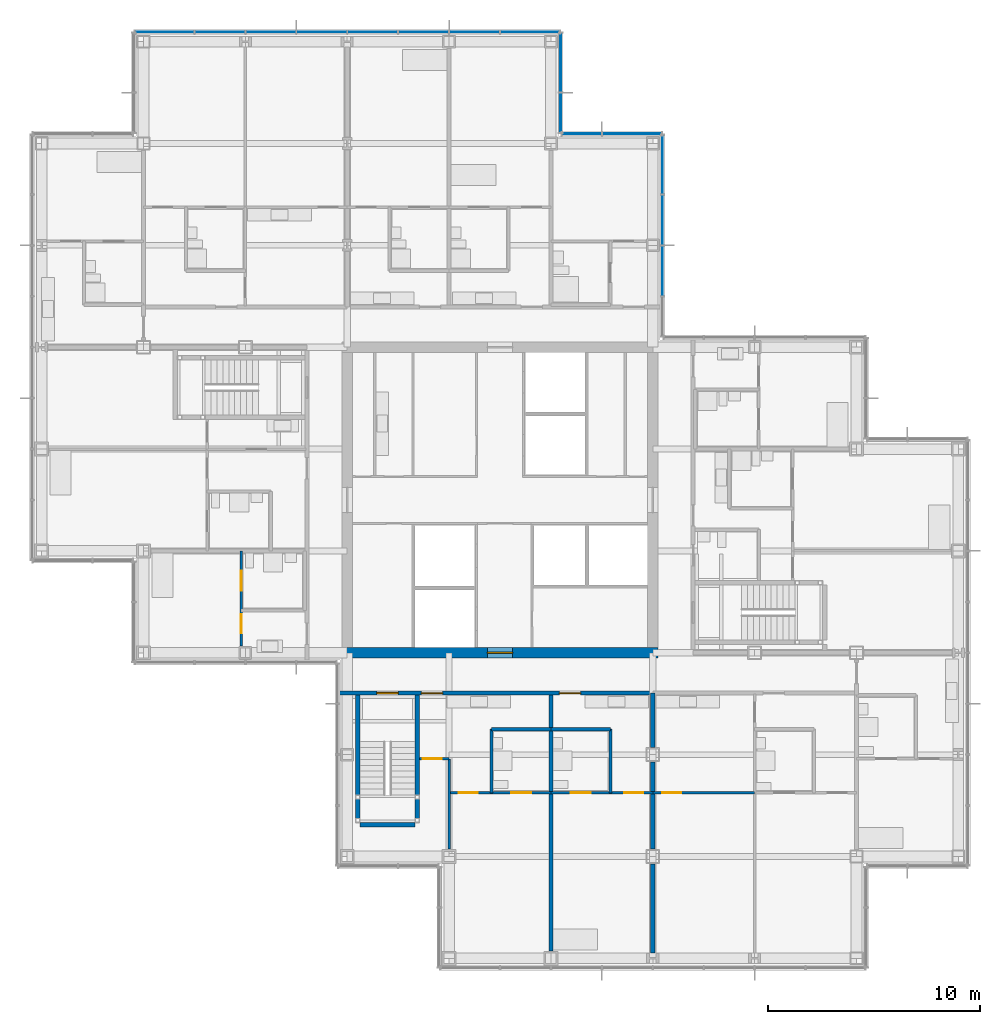
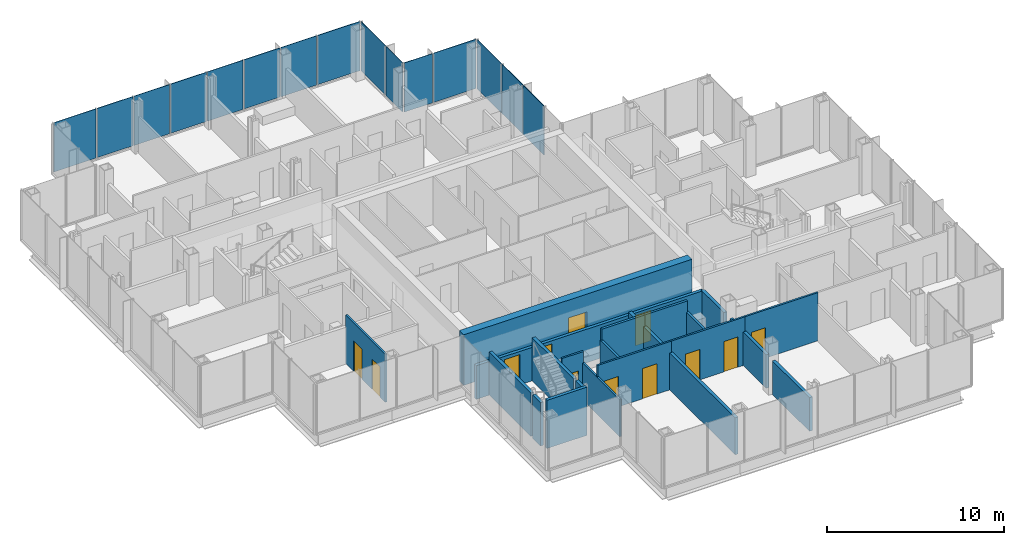
# One storey, part 13 of 20: 21 walls, 15 plates, 12 doors, 12 openings, 4 elements without a shape of their own.
"""IFC4 building model written with IfcOpenShell, lengths in metres."""

from ifc_helpers import new_model, si_unit, direction, frame, frame_2d, origin, origin_2d, place, context, subcontext, project, spatial, rectangle, extrude, material, layer, layer_set, type_object, element, fill, aggregate, save


model = new_model("IFC4")

# Units and contexts
model_context = context("Model", 3, precision=1e-05, world=origin(), true_north=direction((0.0, 1.0)))
body_context = subcontext(model_context, "Body", "Model", "MODEL_VIEW")
ifc_project = project(units=[si_unit("LENGTHUNIT", "METRE"), si_unit("AREAUNIT", "SQUARE_METRE"), si_unit("VOLUMEUNIT", "CUBIC_METRE"), si_unit("PLANEANGLEUNIT", "RADIAN"), si_unit("MASSUNIT", "GRAM", prefix="KILO")], contexts=[model_context])

# Site, building, storey
site_placement = place(None, origin())
site = spatial("IfcSite", under=ifc_project, at=site_placement, CompositionType="ELEMENT")
building_placement = place(site_placement, origin())
building = spatial("IfcBuilding", under=site, at=building_placement, Name="Kvirike Care Tower", CompositionType="ELEMENT")
storey_placement = place(building_placement, frame((0.0, 0.0, 94.5)))
storey = spatial("IfcBuildingStorey", under=building, at=storey_placement, Name="L25", CompositionType="ELEMENT", Elevation=94.5)

# Curtain wall, plates
ifc_material_1 = material(Name="Anodised aluminium stick system", Category="aluminium")
curtain_wall_type = type_object("IfcCurtainWallType", Name="CW-B STICK CURTAIN WALL", PredefinedType="NOTDEFINED", material=ifc_material_1)
curtain_wall_1_placement = place(storey_placement, origin())
curtain_wall_1 = element("IfcCurtainWall", 1, at=curtain_wall_1_placement, inside=storey, type_object=curtain_wall_type, Name="Curtain wall L25 face 5", PredefinedType="NOTDEFINED")
ifc_material_2 = material(Name="Tinted double glazed unit", Category="glass")
ifc_layer_1 = layer(ifc_material_2, 0.035888671875)
ifc_layer_set_1 = layer_set([ifc_layer_1], Name="TINTED VISION PANEL 36")
plate_type = type_object("IfcPlateType", Name="TINTED VISION PANEL 36", PredefinedType="CURTAIN_PANEL", material=ifc_layer_set_1)
plate_1_placement = place(storey_placement, frame((29.260009765625, 46.800048828125, 0.10009765625), z_axis=(0.0, 0.0, 1.0), x_axis=(0.0, 1.0, 0.0)))
plate_1 = element("IfcPlate", 2, at=plate_1_placement, type_object=plate_type, Name="CW-B panel L25 face 5.2", PredefinedType="CURTAIN_PANEL", context=body_context, shape_type="SweptSolid", body=[
    extrude(rectangle(XDim=2.3349609375, YDim=0.035888671875, at=origin_2d()), origin(), (0.0, 0.0, 1.0), 3.39990234375),
])
plate_2_placement = place(storey_placement, frame((29.260009765625, 49.199951171875, 0.10009765625), z_axis=(0.0, 0.0, 1.0), x_axis=(0.0, 1.0, 0.0)))
plate_2 = element("IfcPlate", 3, at=plate_2_placement, type_object=plate_type, Name="CW-B panel L25 face 5.3", PredefinedType="CURTAIN_PANEL", context=body_context, shape_type="SweptSolid", body=[
    extrude(rectangle(XDim=2.3349609375, YDim=0.035888671875, at=origin_2d()), origin(), (0.0, 0.0, 1.0), 3.39990234375),
])
plate_3_placement = place(storey_placement, frame((29.260009765625, 51.813720703125, 0.10009765625), z_axis=(0.0, 0.0, 1.0), x_axis=(0.0, 1.0, 0.0)))
plate_3 = element("IfcPlate", 4, at=plate_3_placement, type_object=plate_type, Name="CW-B panel L25 face 5.4", PredefinedType="CURTAIN_PANEL", context=body_context, shape_type="SweptSolid", body=[
    extrude(rectangle(XDim=2.762451171875, YDim=0.035888671875, at=origin_2d()), origin(), (0.0, 0.0, 1.0), 3.39990234375),
])
aggregate(curtain_wall_1, [plate_1, plate_2, plate_3])

curtain_wall_2_placement = place(storey_placement, origin())
curtain_wall_2 = element("IfcCurtainWall", 5, at=curtain_wall_2_placement, inside=storey, type_object=curtain_wall_type, Name="Curtain wall L25 face 6", PredefinedType="NOTDEFINED")
plate_4_placement = place(storey_placement, frame((27.813720703125, 53.260009765625, 0.10009765625), z_axis=(0.0, 0.0, 1.0), x_axis=(-1.0, 0.0, 0.0)))
plate_4 = element("IfcPlate", 6, at=plate_4_placement, type_object=plate_type, Name="CW-B panel L25 face 6.1", PredefinedType="CURTAIN_PANEL", context=body_context, shape_type="SweptSolid", body=[
    extrude(rectangle(XDim=2.762451171875, YDim=0.035888671875, at=origin_2d()), origin(), (0.0, 0.0, 1.0), 3.39990234375),
])
plate_5_placement = place(storey_placement, frame((25.4462890625, 53.260009765625, 0.10009765625), z_axis=(0.0, 0.0, 1.0), x_axis=(-1.0, 0.0, 0.0)))
plate_5 = element("IfcPlate", 7, at=plate_5_placement, type_object=plate_type, Name="CW-B panel L25 face 6.2", PredefinedType="CURTAIN_PANEL", context=body_context, shape_type="SweptSolid", body=[
    extrude(rectangle(XDim=1.842529296875, YDim=0.035888671875, at=origin_2d()), origin(), (0.0, 0.0, 1.0), 3.39990234375),
])
aggregate(curtain_wall_2, [plate_4, plate_5])

curtain_wall_3_placement = place(storey_placement, origin())
curtain_wall_3 = element("IfcCurtainWall", 8, at=curtain_wall_3_placement, inside=storey, type_object=curtain_wall_type, Name="Curtain wall L25 face 7", PredefinedType="NOTDEFINED")
plate_6_placement = place(storey_placement, frame((24.4599609375, 54.246337890625, 0.10009765625), z_axis=(0.0, 0.0, 1.0), x_axis=(0.0, 1.0, 0.0)))
plate_6 = element("IfcPlate", 9, at=plate_6_placement, type_object=plate_type, Name="CW-B panel L25 face 7.1", PredefinedType="CURTAIN_PANEL", context=body_context, shape_type="SweptSolid", body=[
    extrude(rectangle(XDim=1.842529296875, YDim=0.035888671875, at=origin_2d()), origin(), (0.0, 0.0, 1.0), 3.39990234375),
])
plate_7_placement = place(storey_placement, frame((24.4599609375, 56.61376953125, 0.10009765625), z_axis=(0.0, 0.0, 1.0), x_axis=(0.0, 1.0, 0.0)))
plate_7 = element("IfcPlate", 10, at=plate_7_placement, type_object=plate_type, Name="CW-B panel L25 face 7.2", PredefinedType="CURTAIN_PANEL", context=body_context, shape_type="SweptSolid", body=[
    extrude(rectangle(XDim=2.762451171875, YDim=0.035888671875, at=origin_2d()), origin(), (0.0, 0.0, 1.0), 3.39990234375),
])
aggregate(curtain_wall_3, [plate_6, plate_7])

curtain_wall_4_placement = place(storey_placement, origin())
curtain_wall_4 = element("IfcCurtainWall", 11, at=curtain_wall_4_placement, inside=storey, type_object=curtain_wall_type, Name="Curtain wall L25 face 8", PredefinedType="NOTDEFINED")
plate_8_placement = place(storey_placement, frame((23.013671875, 58.06005859375, 0.10009765625), z_axis=(0.0, 0.0, 1.0), x_axis=(-1.0, 0.0, 0.0)))
plate_8 = element("IfcPlate", 12, at=plate_8_placement, type_object=plate_type, Name="CW-B panel L25 face 8.1", PredefinedType="CURTAIN_PANEL", context=body_context, shape_type="SweptSolid", body=[
    extrude(rectangle(XDim=2.762451171875, YDim=0.035888671875, at=origin_2d()), origin(), (0.0, 0.0, 1.0), 3.39990234375),
])
plate_9_placement = place(storey_placement, frame((20.39990234375, 58.06005859375, 0.10009765625), z_axis=(0.0, 0.0, 1.0), x_axis=(-1.0, 0.0, 0.0)))
plate_9 = element("IfcPlate", 13, at=plate_9_placement, type_object=plate_type, Name="CW-B panel L25 face 8.2", PredefinedType="CURTAIN_PANEL", context=body_context, shape_type="SweptSolid", body=[
    extrude(rectangle(XDim=2.3349609375, YDim=0.035888671875, at=origin_2d()), origin(), (0.0, 0.0, 1.0), 3.39990234375),
])
plate_10_placement = place(storey_placement, frame((18.0, 58.06005859375, 0.10009765625), z_axis=(0.0, 0.0, 1.0), x_axis=(-1.0, 0.0, 0.0)))
plate_10 = element("IfcPlate", 14, at=plate_10_placement, type_object=plate_type, Name="CW-B panel L25 face 8.3", PredefinedType="CURTAIN_PANEL", context=body_context, shape_type="SweptSolid", body=[
    extrude(rectangle(XDim=2.3349609375, YDim=0.035888671875, at=origin_2d()), origin(), (0.0, 0.0, 1.0), 3.39990234375),
])
plate_11_placement = place(storey_placement, frame((15.60009765625, 58.06005859375, 0.10009765625), z_axis=(0.0, 0.0, 1.0), x_axis=(-1.0, 0.0, 0.0)))
plate_11 = element("IfcPlate", 15, at=plate_11_placement, type_object=plate_type, Name="CW-B panel L25 face 8.4", PredefinedType="CURTAIN_PANEL", context=body_context, shape_type="SweptSolid", body=[
    extrude(rectangle(XDim=2.3349609375, YDim=0.035888671875, at=origin_2d()), origin(), (0.0, 0.0, 1.0), 3.39990234375),
])
plate_12_placement = place(storey_placement, frame((13.199951171875, 58.06005859375, 0.10009765625), z_axis=(0.0, 0.0, 1.0), x_axis=(-1.0, 0.0, 0.0)))
plate_12 = element("IfcPlate", 16, at=plate_12_placement, type_object=plate_type, Name="CW-B panel L25 face 8.5", PredefinedType="CURTAIN_PANEL", context=body_context, shape_type="SweptSolid", body=[
    extrude(rectangle(XDim=2.3349609375, YDim=0.035888671875, at=origin_2d()), origin(), (0.0, 0.0, 1.0), 3.39990234375),
])
plate_13_placement = place(storey_placement, frame((10.800048828125, 58.06005859375, 0.10009765625), z_axis=(0.0, 0.0, 1.0), x_axis=(-1.0, 0.0, 0.0)))
plate_13 = element("IfcPlate", 17, at=plate_13_placement, type_object=plate_type, Name="CW-B panel L25 face 8.6", PredefinedType="CURTAIN_PANEL", context=body_context, shape_type="SweptSolid", body=[
    extrude(rectangle(XDim=2.3349609375, YDim=0.035888671875, at=origin_2d()), origin(), (0.0, 0.0, 1.0), 3.39990234375),
])
plate_14_placement = place(storey_placement, frame((8.39990234375, 58.06005859375, 0.10009765625), z_axis=(0.0, 0.0, 1.0), x_axis=(-1.0, 0.0, 0.0)))
plate_14 = element("IfcPlate", 18, at=plate_14_placement, type_object=plate_type, Name="CW-B panel L25 face 8.7", PredefinedType="CURTAIN_PANEL", context=body_context, shape_type="SweptSolid", body=[
    extrude(rectangle(XDim=2.3349609375, YDim=0.035888671875, at=origin_2d()), origin(), (0.0, 0.0, 1.0), 3.39990234375),
])
plate_15_placement = place(storey_placement, frame((5.7861328125, 58.06005859375, 0.10009765625), z_axis=(0.0, 0.0, 1.0), x_axis=(-1.0, 0.0, 0.0)))
plate_15 = element("IfcPlate", 19, at=plate_15_placement, type_object=plate_type, Name="CW-B panel L25 face 8.8", PredefinedType="CURTAIN_PANEL", context=body_context, shape_type="SweptSolid", body=[
    extrude(rectangle(XDim=2.762451171875, YDim=0.035888671875, at=origin_2d()), origin(), (0.0, 0.0, 1.0), 3.39990234375),
])
aggregate(curtain_wall_4, [plate_8, plate_9, plate_10, plate_11, plate_12, plate_13, plate_14, plate_15])

# Walls
ifc_material_3 = material(Name="Moisture-resistant board partition", Category="gypsum")
ifc_layer_2 = layer(ifc_material_3, 0.14990234375)
ifc_layer_set_2 = layer_set([ifc_layer_2], Name="BATHROOM WALL 150")
wall_type_1 = type_object("IfcWallType", Name="BATHROOM WALL 150", PredefinedType="PARTITIONING", material=ifc_layer_set_2)
wall_1_placement = place(storey_placement, frame((21.199951171875, 22.199951171875, 0.0), z_axis=(0.0, 0.0, 1.0), x_axis=(0.0, 1.0, 0.0)))
element("IfcWall", 20, at=wall_1_placement, inside=storey, type_object=wall_type_1, Name="Bathroom Wall 150 L25", PredefinedType="PARTITIONING", context=body_context, shape_type="SweptSolid", body=[
    extrude(rectangle(XDim=3.0, YDim=0.14990234375, at=frame_2d((1.5, 0.0))), origin(), (0.0, 0.0, 1.0), 2.550048828125),
])
wall_2_placement = place(storey_placement, frame((21.199951171875, 25.199951171875, 0.0), z_axis=(0.0, 0.0, 1.0), x_axis=(1.0, 0.0, 0.0)))
element("IfcWall", 21, at=wall_2_placement, inside=storey, type_object=wall_type_1, Name="Bathroom Wall 150 L25", PredefinedType="PARTITIONING", context=body_context, shape_type="SweptSolid", body=[
    extrude(rectangle(XDim=2.800048828125, YDim=0.14990234375, at=frame_2d((1.39990234375, 0.0))), origin(), (0.0, 0.0, 1.0), 3.330078125),
])
wall_3_placement = place(storey_placement, frame((26.800048828125, 22.199951171875, 0.0), z_axis=(0.0, 0.0, 1.0), x_axis=(0.0, 1.0, 0.0)))
element("IfcWall", 22, at=wall_3_placement, inside=storey, type_object=wall_type_1, Name="Bathroom Wall 150 L25", PredefinedType="PARTITIONING", context=body_context, shape_type="SweptSolid", body=[
    extrude(rectangle(XDim=3.0, YDim=0.14990234375, at=frame_2d((1.5, 0.0))), origin(), (0.0, 0.0, 1.0), 2.550048828125),
])
wall_4_placement = place(storey_placement, frame((24.0, 25.199951171875, 0.0), z_axis=(0.0, 0.0, 1.0), x_axis=(1.0, 0.0, 0.0)))
element("IfcWall", 23, at=wall_4_placement, inside=storey, type_object=wall_type_1, Name="Bathroom Wall 150 L25", PredefinedType="PARTITIONING", context=body_context, shape_type="SweptSolid", body=[
    extrude(rectangle(XDim=2.800048828125, YDim=0.14990234375, at=frame_2d((1.39990234375, 0.0))), origin(), (0.0, 0.0, 1.0), 3.330078125),
])

# Wall, opening, door
ifc_material_4 = material(Name="Concrete C50/60", Category="concrete")
ifc_layer_3 = layer(ifc_material_4, 0.5)
ifc_layer_set_3 = layer_set([ifc_layer_3], Name="CORE WALL 500 C50-60")
wall_type_2 = type_object("IfcWallType", Name="CORE WALL 500 C50-60", PredefinedType="SHEAR", material=ifc_layer_set_3)
wall_5_placement = place(storey_placement, frame((14.14990234375, 28.800048828125, -0.169921875), z_axis=(0.0, 0.0, 1.0), x_axis=(1.0, 0.0, 0.0)))
wall_5 = element("IfcWall", 24, at=wall_5_placement, inside=storey, type_object=wall_type_2, Name="Core wall S L25", PredefinedType="SHEAR", context=body_context, shape_type="SweptSolid", body=[
    extrude(rectangle(XDim=14.900146484375, YDim=0.5, at=frame_2d((7.4501953125, 0.0))), origin(), (0.0, 0.0, 1.0), 3.5),
])
opening_1_placement = place(wall_5_placement, frame((6.85009765625, 0.0, 0.169921875)))
opening_1 = element("IfcOpeningElement", 25, at=opening_1_placement, cuts=wall_5, Name="Opening 25-064", PredefinedType="OPENING", context=body_context, shape_type="SweptSolid", body=[
    extrude(rectangle(XDim=1.199951171875, YDim=2.10009765625, at=frame_2d((0.60009765625, 1.050048828125))), frame((0.0, 0.260498046875, 0.0), z_axis=(0.0, -1.0, 0.0), x_axis=(1.0, 0.0, 0.0)), (0.0, 0.0, 1.0), 0.52099609375),
])
ifc_material_5 = material(Name="Timber door set", Category="wood")
door_type_1 = type_object("IfcDoorType", Name="CORE DOOR 1200", OperationType="SINGLE_SWING_LEFT", PredefinedType="DOOR", material=ifc_material_5)
door_1_placement = place(opening_1_placement, origin())
door_1 = element("IfcDoor", 26, at=door_1_placement, inside=storey, type_object=door_type_1, Name="Core door S L25", OperationType="SINGLE_SWING_LEFT", OverallHeight=2.10009765625, OverallWidth=1.199951171875, PredefinedType="DOOR", context=body_context, shape_type="SweptSolid", body=[
    extrude(rectangle(XDim=1.199951171875, YDim=2.10009765625, at=frame_2d((0.60009765625, 1.050048828125))), frame((0.0, 0.02685546875, 0.0), z_axis=(0.0, -1.0, 0.0), x_axis=(1.0, 0.0, 0.0)), (0.0, 0.0, 1.0), 0.053955078125),
])
fill(opening_1, door_1)

# Wall, openings, doors
ifc_material_6 = material(Name="Plasterboard corridor wall", Category="gypsum")
ifc_layer_4 = layer(ifc_material_6, 0.199951171875)
ifc_layer_set_4 = layer_set([ifc_layer_4], Name="CORRIDOR WALL 200")
wall_type_3 = type_object("IfcWallType", Name="CORRIDOR WALL 200", PredefinedType="PARTITIONING", material=ifc_layer_set_4)
wall_6_placement = place(storey_placement, frame((13.9599609375, 26.89990234375, 0.0), z_axis=(0.0, 0.0, 1.0), x_axis=(1.0, 0.0, 0.0)))
wall_6 = element("IfcWall", 27, at=wall_6_placement, inside=storey, type_object=wall_type_3, Name="Corridor Wall 200 L25", PredefinedType="PARTITIONING", context=body_context, shape_type="SweptSolid", body=[
    extrude(rectangle(XDim=14.840087890625, YDim=0.199951171875, at=frame_2d((7.419921875, 0.0))), origin(), (0.0, 0.0, 1.0), 2.320068359375),
])
opening_2_placement = place(wall_6_placement, frame((1.840087890625, 0.0, 0.0)))
opening_2 = element("IfcOpeningElement", 28, at=opening_2_placement, cuts=wall_6, Name="Opening 25-023", PredefinedType="OPENING", context=body_context, shape_type="SweptSolid", body=[
    extrude(rectangle(XDim=1.0, YDim=2.10009765625, at=frame_2d((0.5, 1.050048828125))), frame((0.0, 0.110595703125, 0.0), z_axis=(0.0, -1.0, 0.0), x_axis=(1.0, 0.0, 0.0)), (0.0, 0.0, 1.0), 0.220947265625),
])
opening_3_placement = place(wall_6_placement, frame((3.93994140625, 0.0, 0.0)))
opening_3 = element("IfcOpeningElement", 29, at=opening_3_placement, cuts=wall_6, Name="Opening 25-024", PredefinedType="OPENING", context=body_context, shape_type="SweptSolid", body=[
    extrude(rectangle(XDim=1.0, YDim=2.10009765625, at=frame_2d((0.5, 1.050048828125))), frame((0.0, 0.110595703125, 0.0), z_axis=(0.0, -1.0, 0.0), x_axis=(1.0, 0.0, 0.0)), (0.0, 0.0, 1.0), 0.220947265625),
])
opening_4_placement = place(wall_6_placement, frame((10.43994140625, 0.0, 0.0)))
opening_4 = element("IfcOpeningElement", 30, at=opening_4_placement, cuts=wall_6, Name="Opening 25-025", PredefinedType="OPENING", context=body_context, shape_type="SweptSolid", body=[
    extrude(rectangle(XDim=1.0, YDim=2.10009765625, at=frame_2d((0.5, 1.050048828125))), frame((0.0, 0.110595703125, 0.0), z_axis=(0.0, -1.0, 0.0), x_axis=(1.0, 0.0, 0.0)), (0.0, 0.0, 1.0), 0.220947265625),
])
ifc_material_7 = material(Name="Timber door set", Category="wood")
door_type_2 = type_object("IfcDoorType", Name="FLAT ENTRANCE DOOR 1000", OperationType="SINGLE_SWING_LEFT", PredefinedType="DOOR", material=ifc_material_7)
door_2_placement = place(opening_3_placement, frame((1.0, 0.0, 0.0), z_axis=(0.0, 0.0, 1.0), x_axis=(-1.0, 0.0, 0.0)))
door_2 = element("IfcDoor", 31, at=door_2_placement, inside=storey, type_object=door_type_2, Name="Accessible assisted living suite entrance", OperationType="SINGLE_SWING_LEFT", OverallHeight=2.10009765625, OverallWidth=1.0, PredefinedType="DOOR", context=body_context, shape_type="SweptSolid", body=[
    extrude(rectangle(XDim=1.0, YDim=2.10009765625, at=frame_2d((0.5, 1.050048828125))), frame((0.0, 0.02685546875, 0.0), z_axis=(0.0, -1.0, 0.0), x_axis=(1.0, 0.0, 0.0)), (0.0, 0.0, 1.0), 0.053955078125),
])
fill(opening_3, door_2)
door_3_placement = place(opening_4_placement, frame((1.0, 0.0, 0.0), z_axis=(0.0, 0.0, 1.0), x_axis=(-1.0, 0.0, 0.0)))
door_3 = element("IfcDoor", 32, at=door_3_placement, inside=storey, type_object=door_type_2, Name="Assisted living suite entrance", OperationType="SINGLE_SWING_LEFT", OverallHeight=2.10009765625, OverallWidth=1.0, PredefinedType="DOOR", context=body_context, shape_type="SweptSolid", body=[
    extrude(rectangle(XDim=1.0, YDim=2.10009765625, at=frame_2d((0.5, 1.050048828125))), frame((0.0, 0.02685546875, 0.0), z_axis=(0.0, -1.0, 0.0), x_axis=(1.0, 0.0, 0.0)), (0.0, 0.0, 1.0), 0.053955078125),
])
fill(opening_4, door_3)
ifc_material_8 = material(Name="Timber door set", Category="wood")
door_type_3 = type_object("IfcDoorType", Name="STAIR DOOR 1000", OperationType="SINGLE_SWING_LEFT", PredefinedType="DOOR", material=ifc_material_8)
door_4_placement = place(opening_2_placement, frame((1.0, 0.0, 0.0), z_axis=(0.0, 0.0, 1.0), x_axis=(-1.0, 0.0, 0.0)))
door_4 = element("IfcDoor", 33, at=door_4_placement, inside=storey, type_object=door_type_3, Name="Stair 5 door", OperationType="SINGLE_SWING_RIGHT", OverallHeight=2.10009765625, OverallWidth=1.0, PredefinedType="DOOR", context=body_context, shape_type="SweptSolid", body=[
    extrude(rectangle(XDim=1.0, YDim=2.10009765625, at=frame_2d((0.5, 1.050048828125))), frame((0.0, 0.031982421875, 0.0), z_axis=(0.0, -1.0, 0.0), x_axis=(1.0, 0.0, 0.0)), (0.0, 0.0, 1.0), 0.06396484375),
])
fill(opening_2, door_4)

ifc_material_9 = material(Name="Plasterboard partition", Category="gypsum")
ifc_layer_5 = layer(ifc_material_9, 0.1201171875)
ifc_layer_set_5 = layer_set([ifc_layer_5], Name="PARTITION 120")
wall_type_4 = type_object("IfcWallType", Name="PARTITION 120", PredefinedType="PARTITIONING", material=ifc_layer_set_5)
wall_7_placement = place(storey_placement, frame((9.39990234375, 33.60009765625, 0.0), z_axis=(0.0, 0.0, 1.0), x_axis=(0.0, -1.0, 0.0)))
wall_7 = element("IfcWall", 34, at=wall_7_placement, inside=storey, type_object=wall_type_4, Name="Partition 120 L25", PredefinedType="PARTITIONING", context=body_context, shape_type="SweptSolid", body=[
    extrude(rectangle(XDim=4.47998046875, YDim=0.1201171875, at=frame_2d((2.239990234375, 0.0))), origin(), (0.0, 0.0, 1.0), 3.330078125),
])
opening_5_placement = place(wall_7_placement, frame((2.97509765625, 0.0, 0.0)))
opening_5 = element("IfcOpeningElement", 35, at=opening_5_placement, cuts=wall_7, Name="Opening 25-005", PredefinedType="OPENING", context=body_context, shape_type="SweptSolid", body=[
    extrude(rectangle(XDim=0.89990234375, YDim=2.10009765625, at=frame_2d((0.449951171875, 1.050048828125))), frame((0.0, 0.070556640625, 0.0), z_axis=(0.0, -1.0, 0.0), x_axis=(1.0, 0.0, 0.0)), (0.0, 0.0, 1.0), 0.14111328125),
])
opening_6_placement = place(wall_7_placement, frame((0.925048828125, 0.0, 0.0)))
opening_6 = element("IfcOpeningElement", 36, at=opening_6_placement, cuts=wall_7, Name="Opening 25-006", PredefinedType="OPENING", context=body_context, shape_type="SweptSolid", body=[
    extrude(rectangle(XDim=0.949951171875, YDim=2.10009765625, at=frame_2d((0.47509765625, 1.050048828125))), frame((0.0, 0.070556640625, 0.0), z_axis=(0.0, -1.0, 0.0), x_axis=(1.0, 0.0, 0.0)), (0.0, 0.0, 1.0), 0.14111328125),
])
ifc_material_10 = material(Name="Timber door set", Category="wood")
door_type_4 = type_object("IfcDoorType", Name="EN-SUITE SLIDING DOOR 950", OperationType="SLIDING_TO_LEFT", PredefinedType="DOOR", material=ifc_material_10)
door_5_placement = place(opening_6_placement, origin())
door_5 = element("IfcDoor", 37, at=door_5_placement, inside=storey, type_object=door_type_4, Name="En-suite door", OperationType="SLIDING_TO_LEFT", OverallHeight=2.10009765625, OverallWidth=0.949951171875, PredefinedType="DOOR", context=body_context, shape_type="SweptSolid", body=[
    extrude(rectangle(XDim=0.949951171875, YDim=2.10009765625, at=frame_2d((0.47509765625, 1.050048828125))), frame((0.0, 0.02197265625, 0.0), z_axis=(0.0, -1.0, 0.0), x_axis=(1.0, 0.0, 0.0)), (0.0, 0.0, 1.0), 0.0439453125),
])
fill(opening_6, door_5)
ifc_material_11 = material(Name="Timber door set", Category="wood")
door_type_5 = type_object("IfcDoorType", Name="INTERNAL DOOR 900", OperationType="SINGLE_SWING_LEFT", PredefinedType="DOOR", material=ifc_material_11)
door_6_placement = place(opening_5_placement, origin())
door_6 = element("IfcDoor", 38, at=door_6_placement, inside=storey, type_object=door_type_5, Name="Assisted living suite door", OperationType="SINGLE_SWING_RIGHT", OverallHeight=2.10009765625, OverallWidth=0.89990234375, PredefinedType="DOOR", context=body_context, shape_type="SweptSolid", body=[
    extrude(rectangle(XDim=0.89990234375, YDim=2.10009765625, at=frame_2d((0.449951171875, 1.050048828125))), frame((0.0, 0.02197265625, 0.0), z_axis=(0.0, -1.0, 0.0), x_axis=(1.0, 0.0, 0.0)), (0.0, 0.0, 1.0), 0.0439453125),
])
fill(opening_5, door_6)

# Wall, opening, door
wall_8_placement = place(storey_placement, frame((17.800048828125, 23.800048828125, 0.0), z_axis=(0.0, 0.0, 1.0), x_axis=(1.0, 0.0, 0.0)))
wall_8 = element("IfcWall", 39, at=wall_8_placement, inside=storey, type_object=wall_type_4, Name="Partition 120 L25", PredefinedType="PARTITIONING", context=body_context, shape_type="SweptSolid", body=[
    extrude(rectangle(XDim=1.39990234375, YDim=0.1201171875, at=frame_2d((0.699951171875, 0.0))), origin(), (0.0, 0.0, 1.0), 3.330078125),
])
opening_7_placement = place(wall_8_placement, frame((0.14990234375, 0.0, 0.0)))
opening_7 = element("IfcOpeningElement", 40, at=opening_7_placement, cuts=wall_8, Name="Opening 25-018", PredefinedType="OPENING", context=body_context, shape_type="SweptSolid", body=[
    extrude(rectangle(XDim=0.89990234375, YDim=2.10009765625, at=frame_2d((0.449951171875, 1.050048828125))), frame((0.0, 0.070556640625, 0.0), z_axis=(0.0, -1.0, 0.0), x_axis=(1.0, 0.0, 0.0)), (0.0, 0.0, 1.0), 0.14111328125),
])
door_7_placement = place(opening_7_placement, frame((0.89990234375, 0.0, 0.0), z_axis=(0.0, 0.0, 1.0), x_axis=(-1.0, 0.0, 0.0)))
door_7 = element("IfcDoor", 41, at=door_7_placement, inside=storey, type_object=door_type_5, Name="Suite sitting room door", OperationType="SINGLE_SWING_LEFT", OverallHeight=2.10009765625, OverallWidth=0.89990234375, PredefinedType="DOOR", context=body_context, shape_type="SweptSolid", body=[
    extrude(rectangle(XDim=0.89990234375, YDim=2.10009765625, at=frame_2d((0.449951171875, 1.050048828125))), frame((0.0, 0.02197265625, 0.0), z_axis=(0.0, -1.0, 0.0), x_axis=(1.0, 0.0, 0.0)), (0.0, 0.0, 1.0), 0.0439453125),
])
fill(opening_7, door_7)

# Wall, openings, doors
wall_9_placement = place(storey_placement, frame((19.199951171875, 22.199951171875, 0.0), z_axis=(0.0, 0.0, 1.0), x_axis=(1.0, 0.0, 0.0)))
wall_9 = element("IfcWall", 42, at=wall_9_placement, inside=storey, type_object=wall_type_4, Name="Partition 120 L25", PredefinedType="PARTITIONING", context=body_context, shape_type="SweptSolid", body=[
    extrude(rectangle(XDim=4.800048828125, YDim=0.1201171875, at=frame_2d((2.39990234375, 0.0))), origin(), (0.0, 0.0, 1.0), 3.330078125),
])
opening_8_placement = place(wall_9_placement, frame((0.449951171875, 0.0, 0.0)))
opening_8 = element("IfcOpeningElement", 43, at=opening_8_placement, cuts=wall_9, Name="Opening 25-019", PredefinedType="OPENING", context=body_context, shape_type="SweptSolid", body=[
    extrude(rectangle(XDim=0.89990234375, YDim=2.10009765625, at=frame_2d((0.449951171875, 1.050048828125))), frame((0.0, 0.070556640625, 0.0), z_axis=(0.0, -1.0, 0.0), x_axis=(1.0, 0.0, 0.0)), (0.0, 0.0, 1.0), 0.14111328125),
])
opening_9_placement = place(wall_9_placement, frame((2.925048828125, 0.0, 0.0)))
opening_9 = element("IfcOpeningElement", 44, at=opening_9_placement, cuts=wall_9, Name="Opening 25-020", PredefinedType="OPENING", context=body_context, shape_type="SweptSolid", body=[
    extrude(rectangle(XDim=0.949951171875, YDim=2.10009765625, at=frame_2d((0.47509765625, 1.050048828125))), frame((0.0, 0.070556640625, 0.0), z_axis=(0.0, -1.0, 0.0), x_axis=(1.0, 0.0, 0.0)), (0.0, 0.0, 1.0), 0.14111328125),
])
door_8_placement = place(opening_9_placement, origin())
door_8 = element("IfcDoor", 45, at=door_8_placement, inside=storey, type_object=door_type_4, Name="En-suite door", OperationType="SLIDING_TO_LEFT", OverallHeight=2.10009765625, OverallWidth=0.949951171875, PredefinedType="DOOR", context=body_context, shape_type="SweptSolid", body=[
    extrude(rectangle(XDim=0.949951171875, YDim=2.10009765625, at=frame_2d((0.47509765625, 1.050048828125))), frame((0.0, 0.02197265625, 0.0), z_axis=(0.0, -1.0, 0.0), x_axis=(1.0, 0.0, 0.0)), (0.0, 0.0, 1.0), 0.0439453125),
])
fill(opening_9, door_8)
door_9_placement = place(opening_8_placement, origin())
door_9 = element("IfcDoor", 46, at=door_9_placement, inside=storey, type_object=door_type_5, Name="Accessible assisted living suite door", OperationType="SINGLE_SWING_RIGHT", OverallHeight=2.10009765625, OverallWidth=0.89990234375, PredefinedType="DOOR", context=body_context, shape_type="SweptSolid", body=[
    extrude(rectangle(XDim=0.89990234375, YDim=2.10009765625, at=frame_2d((0.449951171875, 1.050048828125))), frame((0.0, 0.02197265625, 0.0), z_axis=(0.0, -1.0, 0.0), x_axis=(1.0, 0.0, 0.0)), (0.0, 0.0, 1.0), 0.0439453125),
])
fill(opening_8, door_9)

# Wall
wall_10_placement = place(storey_placement, frame((19.199951171875, 19.544921875, 0.0), z_axis=(0.0, 0.0, 1.0), x_axis=(0.0, 1.0, 0.0)))
element("IfcWall", 47, at=wall_10_placement, inside=storey, type_object=wall_type_4, Name="Partition 120 L25", PredefinedType="PARTITIONING", context=body_context, shape_type="SweptSolid", body=[
    extrude(rectangle(XDim=4.255126953125, YDim=0.1201171875, at=frame_2d((2.12744140625, 0.0))), origin(), (0.0, 0.0, 1.0), 2.550048828125),
])

# Wall, openings, doors
wall_11_placement = place(storey_placement, frame((24.0, 22.199951171875, 0.0), z_axis=(0.0, 0.0, 1.0), x_axis=(1.0, 0.0, 0.0)))
wall_11 = element("IfcWall", 48, at=wall_11_placement, inside=storey, type_object=wall_type_4, Name="Partition 120 L25", PredefinedType="PARTITIONING", context=body_context, shape_type="SweptSolid", body=[
    extrude(rectangle(XDim=4.800048828125, YDim=0.1201171875, at=frame_2d((2.39990234375, 0.0))), origin(), (0.0, 0.0, 1.0), 3.330078125),
])
opening_10_placement = place(wall_11_placement, frame((3.449951171875, 0.0, 0.0)))
opening_10 = element("IfcOpeningElement", 49, at=opening_10_placement, cuts=wall_11, Name="Opening 25-021", PredefinedType="OPENING", context=body_context, shape_type="SweptSolid", body=[
    extrude(rectangle(XDim=0.89990234375, YDim=2.10009765625, at=frame_2d((0.449951171875, 1.050048828125))), frame((0.0, 0.070556640625, 0.0), z_axis=(0.0, -1.0, 0.0), x_axis=(1.0, 0.0, 0.0)), (0.0, 0.0, 1.0), 0.14111328125),
])
opening_11_placement = place(wall_11_placement, frame((0.925048828125, 0.0, 0.0)))
opening_11 = element("IfcOpeningElement", 50, at=opening_11_placement, cuts=wall_11, Name="Opening 25-022", PredefinedType="OPENING", context=body_context, shape_type="SweptSolid", body=[
    extrude(rectangle(XDim=0.949951171875, YDim=2.10009765625, at=frame_2d((0.47509765625, 1.050048828125))), frame((0.0, 0.070556640625, 0.0), z_axis=(0.0, -1.0, 0.0), x_axis=(1.0, 0.0, 0.0)), (0.0, 0.0, 1.0), 0.14111328125),
])
door_10_placement = place(opening_11_placement, origin())
door_10 = element("IfcDoor", 51, at=door_10_placement, inside=storey, type_object=door_type_4, Name="En-suite door", OperationType="SLIDING_TO_RIGHT", OverallHeight=2.10009765625, OverallWidth=0.949951171875, PredefinedType="DOOR", context=body_context, shape_type="SweptSolid", body=[
    extrude(rectangle(XDim=0.949951171875, YDim=2.10009765625, at=frame_2d((0.47509765625, 1.050048828125))), frame((0.0, 0.02197265625, 0.0), z_axis=(0.0, -1.0, 0.0), x_axis=(1.0, 0.0, 0.0)), (0.0, 0.0, 1.0), 0.0439453125),
])
fill(opening_11, door_10)
door_11_placement = place(opening_10_placement, origin())
door_11 = element("IfcDoor", 52, at=door_11_placement, inside=storey, type_object=door_type_5, Name="Assisted living suite door", OperationType="SINGLE_SWING_LEFT", OverallHeight=2.10009765625, OverallWidth=0.89990234375, PredefinedType="DOOR", context=body_context, shape_type="SweptSolid", body=[
    extrude(rectangle(XDim=0.89990234375, YDim=2.10009765625, at=frame_2d((0.449951171875, 1.050048828125))), frame((0.0, 0.02197265625, 0.0), z_axis=(0.0, -1.0, 0.0), x_axis=(1.0, 0.0, 0.0)), (0.0, 0.0, 1.0), 0.0439453125),
])
fill(opening_10, door_11)

# Wall, opening, door
wall_12_placement = place(storey_placement, frame((28.800048828125, 22.199951171875, 0.0), z_axis=(0.0, 0.0, 1.0), x_axis=(1.0, 0.0, 0.0)))
wall_12 = element("IfcWall", 53, at=wall_12_placement, inside=storey, type_object=wall_type_4, Name="Partition 120 L25", PredefinedType="PARTITIONING", context=body_context, shape_type="SweptSolid", body=[
    extrude(rectangle(XDim=4.800048828125, YDim=0.1201171875, at=frame_2d((2.39990234375, 0.0))), origin(), (0.0, 0.0, 1.0), 3.330078125),
])
opening_12_placement = place(wall_12_placement, frame((0.449951171875, 0.0, 0.0)))
opening_12 = element("IfcOpeningElement", 54, at=opening_12_placement, cuts=wall_12, Name="Opening 25-036", PredefinedType="OPENING", context=body_context, shape_type="SweptSolid", body=[
    extrude(rectangle(XDim=0.89990234375, YDim=2.10009765625, at=frame_2d((0.449951171875, 1.050048828125))), frame((0.0, 0.070556640625, 0.0), z_axis=(0.0, -1.0, 0.0), x_axis=(1.0, 0.0, 0.0)), (0.0, 0.0, 1.0), 0.14111328125),
])
door_12_placement = place(opening_12_placement, origin())
door_12 = element("IfcDoor", 55, at=door_12_placement, inside=storey, type_object=door_type_5, Name="Suite sitting room door", OperationType="SINGLE_SWING_RIGHT", OverallHeight=2.10009765625, OverallWidth=0.89990234375, PredefinedType="DOOR", context=body_context, shape_type="SweptSolid", body=[
    extrude(rectangle(XDim=0.89990234375, YDim=2.10009765625, at=frame_2d((0.449951171875, 1.050048828125))), frame((0.0, 0.02197265625, 0.0), z_axis=(0.0, -1.0, 0.0), x_axis=(1.0, 0.0, 0.0)), (0.0, 0.0, 1.0), 0.0439453125),
])
fill(opening_12, door_12)

# Walls
ifc_material_12 = material(Name="Plasterboard party wall", Category="gypsum")
ifc_layer_6 = layer(ifc_material_12, 0.199951171875)
ifc_layer_set_6 = layer_set([ifc_layer_6], Name="PARTY WALL 200")
wall_type_5 = type_object("IfcWallType", Name="PARTY WALL 200", PredefinedType="PARTITIONING", material=ifc_layer_set_6)
wall_13_placement = place(storey_placement, frame((24.0, 14.7451171875, 0.0), z_axis=(0.0, 0.0, 1.0), x_axis=(0.0, 1.0, 0.0)))
element("IfcWall", 56, at=wall_13_placement, inside=storey, type_object=wall_type_5, Name="Party Wall 200 L25", PredefinedType="PARTITIONING", context=body_context, shape_type="SweptSolid", body=[
    extrude(rectangle(XDim=12.054931640625, YDim=0.199951171875, at=frame_2d((6.02734375, 0.0))), origin(), (0.0, 0.0, 1.0), 2.550048828125),
])
wall_14_placement = place(storey_placement, frame((28.800048828125, 14.64697265625, 0.0), z_axis=(0.0, 0.0, 1.0), x_axis=(0.0, 1.0, 0.0)))
element("IfcWall", 57, at=wall_14_placement, inside=storey, type_object=wall_type_5, Name="Party Wall 200 L25", PredefinedType="PARTITIONING", context=body_context, shape_type="SweptSolid", body=[
    extrude(rectangle(XDim=4.2080078125, YDim=0.199951171875, at=frame_2d((2.10400390625, 0.0))), origin(), (0.0, 0.0, 1.0), 2.320068359375),
])
wall_15_placement = place(storey_placement, frame((28.800048828125, 19.544921875, 0.0), z_axis=(0.0, 0.0, 1.0), x_axis=(0.0, 1.0, 0.0)))
element("IfcWall", 58, at=wall_15_placement, inside=storey, type_object=wall_type_5, Name="Party Wall 200 L25", PredefinedType="PARTITIONING", context=body_context, shape_type="SweptSolid", body=[
    extrude(rectangle(XDim=4.110107421875, YDim=0.199951171875, at=frame_2d((2.05517578125, 0.0))), origin(), (0.0, 0.0, 1.0), 2.320068359375),
])
wall_16_placement = place(storey_placement, frame((28.800048828125, 24.344970703125, 0.0), z_axis=(0.0, 0.0, 1.0), x_axis=(0.0, 1.0, 0.0)))
element("IfcWall", 59, at=wall_16_placement, inside=storey, type_object=wall_type_5, Name="Party Wall 200 L25", PredefinedType="PARTITIONING", context=body_context, shape_type="SweptSolid", body=[
    extrude(rectangle(XDim=2.554931640625, YDim=0.199951171875, at=frame_2d((1.27734375, 0.0))), origin(), (0.0, 0.0, 1.0), 2.320068359375),
])
ifc_material_13 = material(Name="Concrete C40/50", Category="concrete")
ifc_layer_7 = layer(ifc_material_13, 0.199951171875)
ifc_layer_set_7 = layer_set([ifc_layer_7], Name="STAIR WALL 200")
wall_type_6 = type_object("IfcWallType", Name="STAIR WALL 200", PredefinedType="SOLIDWALL", material=ifc_layer_set_7)
wall_17_placement = place(storey_placement, frame((14.89990234375, 21.0, 0.0), z_axis=(0.0, 0.0, 1.0), x_axis=(0.0, 1.0, 0.0)))
element("IfcWall", 60, at=wall_17_placement, inside=storey, type_object=wall_type_6, Name="Stair Wall 200 L25", PredefinedType="SOLIDWALL", context=body_context, shape_type="SweptSolid", body=[
    extrude(rectangle(XDim=0.89990234375, YDim=0.199951171875, at=frame_2d((0.449951171875, 0.0))), origin(), (0.0, 0.0, 1.0), 2.989990234375),
])
wall_18_placement = place(storey_placement, frame((14.89990234375, 22.10009765625, 0.0), z_axis=(0.0, 0.0, 1.0), x_axis=(0.0, 1.0, 0.0)))
element("IfcWall", 61, at=wall_18_placement, inside=storey, type_object=wall_type_6, Name="Stair Wall 200 L25", PredefinedType="SOLIDWALL", context=body_context, shape_type="SweptSolid", body=[
    extrude(rectangle(XDim=4.699951171875, YDim=0.199951171875, at=frame_2d((2.35009765625, 0.0))), origin(), (0.0, 0.0, 1.0), 2.989990234375),
])
wall_19_placement = place(storey_placement, frame((17.699951171875, 21.0, 0.0), z_axis=(0.0, 0.0, 1.0), x_axis=(0.0, 1.0, 0.0)))
element("IfcWall", 62, at=wall_19_placement, inside=storey, type_object=wall_type_6, Name="Stair Wall 200 L25", PredefinedType="SOLIDWALL", context=body_context, shape_type="SweptSolid", body=[
    extrude(rectangle(XDim=0.89990234375, YDim=0.199951171875, at=frame_2d((0.449951171875, 0.0))), origin(), (0.0, 0.0, 1.0), 2.989990234375),
])
wall_20_placement = place(storey_placement, frame((17.699951171875, 22.10009765625, 0.0), z_axis=(0.0, 0.0, 1.0), x_axis=(0.0, 1.0, 0.0)))
element("IfcWall", 63, at=wall_20_placement, inside=storey, type_object=wall_type_6, Name="Stair Wall 200 L25", PredefinedType="SOLIDWALL", context=body_context, shape_type="SweptSolid", body=[
    extrude(rectangle(XDim=4.699951171875, YDim=0.199951171875, at=frame_2d((2.35009765625, 0.0))), origin(), (0.0, 0.0, 1.0), 2.989990234375),
])
wall_21_placement = place(storey_placement, frame((15.0, 20.699951171875, 0.0), z_axis=(0.0, 0.0, 1.0), x_axis=(1.0, 0.0, 0.0)))
element("IfcWall", 64, at=wall_21_placement, inside=storey, type_object=wall_type_6, Name="Stair Wall 200 L25", PredefinedType="SOLIDWALL", context=body_context, shape_type="SweptSolid", body=[
    extrude(rectangle(XDim=2.60009765625, YDim=0.199951171875, at=frame_2d((1.300048828125, 0.0))), origin(), (0.0, 0.0, 1.0), 3.330078125),
])

save(model, "model.ifc")
